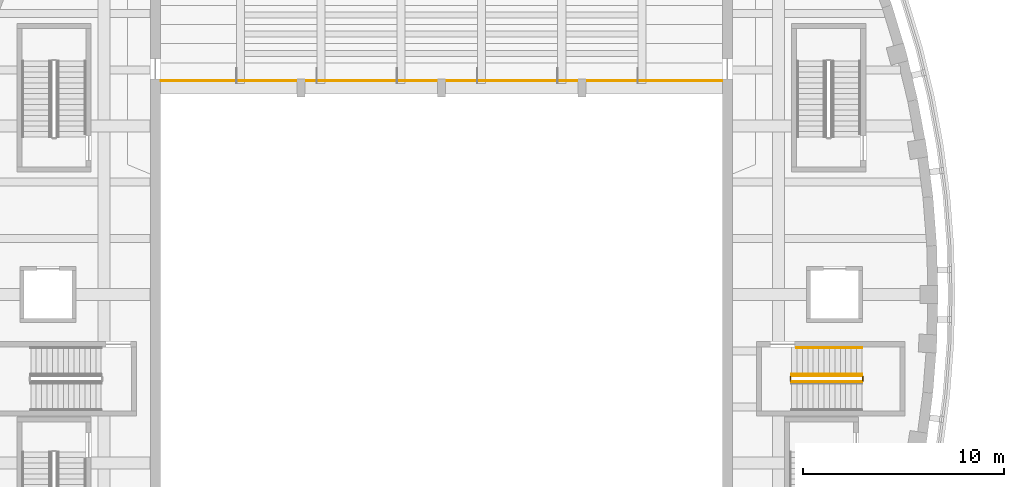
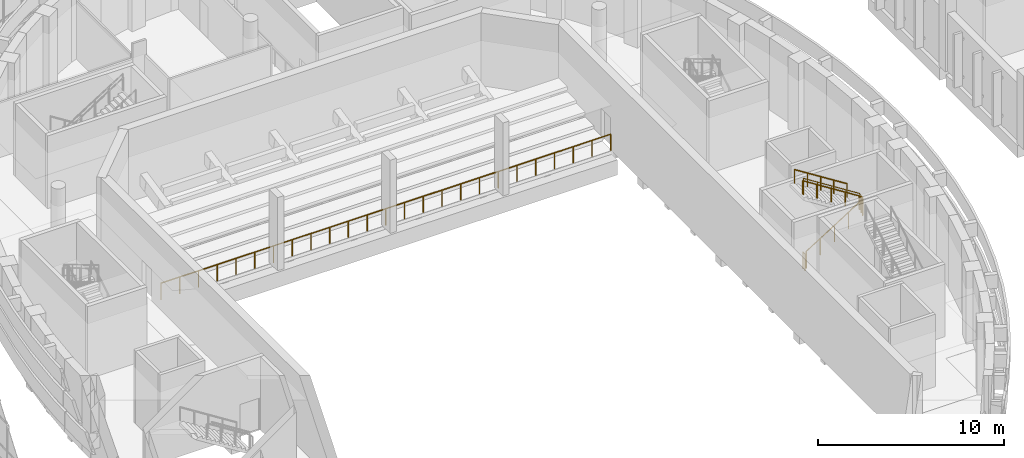
# One storey, part 90 of 103: 7 railings.
"""IFC4 building model written with IfcOpenShell, lengths in metres."""

import ifcopenshell
import ifcopenshell.guid

model = None  # the IFC model being written
_history = None  # IfcOwnerHistory: only IFC2X3 demands one
_inside = {}  # id of a spatial element -> (the spatial element, [elements in it])
_under = {}  # id of a project, library or spatial element -> (it, [spatial elements below it])
_declared = {}  # id of a project -> (the project, [libraries it declares])
_typed = {}  # id of a type object -> (the type object, [elements of that type])
_made_of = {}  # id of a material, layer set ... -> (it, [elements and type objects made of it])


def new_model(schema):
    """Start an empty IFC model of exactly this schema.

    Asked for "IFC4X3", IfcOpenShell would pick the latest addendum, in which some entities
    have other attributes; the version numbers below select the first issue.
    IFC2X3 requires an IfcOwnerHistory on every rooted entity: one is made here for all.
    """
    global model, _history
    if schema == "IFC4X3":
        model = ifcopenshell.file(schema_version=(4, 3, 0, 0))
    else:
        model = ifcopenshell.file(schema=schema)
    _inside.clear()
    _under.clear()
    _declared.clear()
    _typed.clear()
    _made_of.clear()
    _history = None
    if model.schema == "IFC2X3":
        org = make("IfcOrganization", Name="unknown")
        user = make(
            "IfcPersonAndOrganization",
            ThePerson=make("IfcPerson", FamilyName="unknown"),
            TheOrganization=org,
        )
        app = make(
            "IfcApplication",
            ApplicationDeveloper=org,
            Version="unknown",
            ApplicationFullName="unknown",
            ApplicationIdentifier="unknown",
        )
        _history = make(
            "IfcOwnerHistory",
            OwningUser=user,
            OwningApplication=app,
            ChangeAction="ADDED",
            CreationDate=0,
        )
    return model


def make(cls, **values):
    """One entity of the class cls with the attributes given. An attribute that is None is left unset."""
    return model.create_entity(
        cls, **{name: value for name, value in values.items() if value is not None}
    )


def rooted(cls, **values):
    """An entity with a GlobalId (a new one), such as an element, a storey or a relation."""
    return make(cls, GlobalId=ifcopenshell.guid.new(), OwnerHistory=_history, **values)


def si_unit(unit_type, name, prefix=None):
    """IfcSIUnit, for example si_unit("LENGTHUNIT", "METRE", prefix="MILLI")."""
    return make("IfcSIUnit", UnitType=unit_type, Prefix=prefix, Name=name)


def assignment(units):
    """IfcUnitAssignment: the units of a project."""
    return None if units is None else make("IfcUnitAssignment", Units=units)


def point(xyz):
    """IfcCartesianPoint."""
    return None if xyz is None else make("IfcCartesianPoint", Coordinates=xyz)


def direction(xyz):
    """IfcDirection."""
    return None if xyz is None else make("IfcDirection", DirectionRatios=xyz)


def frame(location, z_axis=None, x_axis=None):
    """IfcAxis2Placement3D, a coordinate frame: its origin and axes. An axis left out is left unset."""
    return make(
        "IfcAxis2Placement3D",
        Location=point(location),
        Axis=direction(z_axis),
        RefDirection=direction(x_axis),
    )


def frame_2d(location, x_axis=None):
    """IfcAxis2Placement2D, a coordinate frame in the plane: its origin and x axis."""
    return make(
        "IfcAxis2Placement2D", Location=point(location), RefDirection=direction(x_axis)
    )


def origin():
    """The frame at (0, 0, 0) with its axes left unset."""
    return frame((0.0, 0.0, 0.0))


def origin_2d():
    """The frame at (0, 0) in the plane with its x axis left unset."""
    return frame_2d((0.0, 0.0))


def place(relative_to, where):
    """IfcLocalPlacement: puts the frame where relative to a parent placement (None: the world)."""
    return make(
        "IfcLocalPlacement", PlacementRelTo=relative_to, RelativePlacement=where
    )


def context(
    kind, dimensions, precision=None, world=None, true_north=None, identifier=None
):
    """IfcGeometricRepresentationContext, for example the 3D "Model" context."""
    return make(
        "IfcGeometricRepresentationContext",
        ContextIdentifier=identifier,
        ContextType=kind,
        CoordinateSpaceDimension=dimensions,
        Precision=precision,
        WorldCoordinateSystem=world,
        TrueNorth=true_north,
    )


def subcontext(parent, identifier, kind, view, scale=None):
    """IfcGeometricRepresentationSubContext, for example "Body" below "Model"."""
    return make(
        "IfcGeometricRepresentationSubContext",
        ContextIdentifier=identifier,
        ContextType=kind,
        ParentContext=parent,
        TargetScale=scale,
        TargetView=view,
    )


def project(units=None, contexts=None):
    """IfcProject with its units and contexts."""
    return rooted(
        "IfcProject",
        Name="project",
        RepresentationContexts=contexts,
        UnitsInContext=assignment(units),
    )


def spatial(cls, under=None, at=None, **own):
    """A site, building, storey or space (cls), placed at a placement, below another one or the project."""
    s = rooted(cls, ObjectPlacement=at, **own)
    if under is not None:
        _under.setdefault(under.id(), (under, []))[1].append(s)
    return s


def profile(cls, at=None, kind="AREA", **sizes):
    """A parametric profile (cls). Its sizes go by their IFC names, for example OverallWidth=200.0."""
    return make(cls, ProfileType=kind, Position=at, **sizes)


def circle(**sizes):
    """IfcCircleProfileDef."""
    return profile("IfcCircleProfileDef", **sizes)


def extrude(swept, where, along, depth):
    """IfcExtrudedAreaSolid: the profile swept, set in the frame where, extruded along a direction by depth."""
    return make(
        "IfcExtrudedAreaSolid",
        SweptArea=swept,
        Position=where,
        ExtrudedDirection=direction(along),
        Depth=depth,
    )


def shape(context_of_items, identifier, shape_type, items):
    """IfcShapeRepresentation: the items that make up one representation, for example the "Body"."""
    return make(
        "IfcShapeRepresentation",
        ContextOfItems=context_of_items,
        RepresentationIdentifier=identifier,
        RepresentationType=shape_type,
        Items=items,
    )


def material(Name=None, Category=None):
    """IfcMaterial."""
    return make("IfcMaterial", Name=Name, Category=Category)


def made_of(thing, what):
    """Note that an element or type object is made of a material, layer set ...; save() writes the relation."""
    if what is not None:
        _made_of.setdefault(what.id(), (what, []))[1].append(thing)
    return thing


def type_object(cls, material=None, **own):
    """A type object (cls), such as IfcWallType, which elements share."""
    return made_of(rooted(cls, **own), material)


def element(
    cls,
    number,
    at=None,
    inside=None,
    cuts=None,
    type_object=None,
    material=None,
    context=None,
    identifier="Body",
    shape_type=None,
    held_by="IfcProductDefinitionShape",
    body=None,
    shapes=None,
    **own,
):
    """One element of the class cls, such as IfcWall. Its Tag is "e" and its number.

    at: its placement. inside: the storey or other place that contains it. cuts: it is an
    opening in that element (IfcRelVoidsElement). A single representation is given by context,
    identifier, shape_type and body (its items); several are given by shapes. held_by: the class
    of the entity that holds the representations. save() writes the other relations.
    """
    e = rooted(cls, Tag="e%d" % number, ObjectPlacement=at, **own)
    if body is not None:
        shapes = [shape(context, identifier, shape_type, body)]
    if shapes is not None:
        e.Representation = make(held_by, Representations=shapes)
    if inside is not None:
        _inside.setdefault(inside.id(), (inside, []))[1].append(e)
    if cuts is not None:
        rooted(
            "IfcRelVoidsElement", RelatingBuildingElement=cuts, RelatedOpeningElement=e
        )
    if type_object is not None:
        _typed.setdefault(type_object.id(), (type_object, []))[1].append(e)
    return made_of(e, material)


def aggregate(whole, parts):
    """IfcRelAggregates: a whole, such as a stair, and the parts it consists of."""
    return rooted("IfcRelAggregates", RelatingObject=whole, RelatedObjects=parts)


def save(model, path):
    """Write the relations noted so far, then the file.

    IfcRelAggregates (storeys below a building ...), IfcRelContainedInSpatialStructure (elements
    in a storey), IfcRelDefinesByType, IfcRelAssociatesMaterial and IfcRelDeclares: one each for
    every whole, place, type object, material and project.
    """
    for whole, parts in _under.values():
        aggregate(whole, parts)
    for where, things in _inside.values():
        rooted(
            "IfcRelContainedInSpatialStructure",
            RelatedElements=things,
            RelatingStructure=where,
        )
    for kind, things in _typed.values():
        rooted("IfcRelDefinesByType", RelatedObjects=things, RelatingType=kind)
    for what, things in _made_of.values():
        rooted("IfcRelAssociatesMaterial", RelatedObjects=things, RelatingMaterial=what)
    for by, libraries in _declared.values():
        rooted("IfcRelDeclares", RelatingContext=by, RelatedDefinitions=libraries)
    model.write(path)


model = new_model("IFC4")

# Units and contexts
model_context = context("Model", 3, precision=1e-05, world=origin(), true_north=direction((0.0, 1.0)))
body_context = subcontext(model_context, "Body", "Model", "MODEL_VIEW")
ifc_project = project(units=[si_unit("LENGTHUNIT", "METRE"), si_unit("AREAUNIT", "SQUARE_METRE"), si_unit("VOLUMEUNIT", "CUBIC_METRE"), si_unit("PLANEANGLEUNIT", "RADIAN"), si_unit("MASSUNIT", "GRAM", prefix="KILO")], contexts=[model_context])

# Site, building, storey
site_placement = place(None, origin())
site = spatial("IfcSite", under=ifc_project, at=site_placement, CompositionType="ELEMENT")
building_placement = place(site_placement, origin())
building = spatial("IfcBuilding", under=site, at=building_placement, Name="Larchfold Concert Hall", CompositionType="ELEMENT")
storey_placement = place(building_placement, frame((0.0, 0.0, 9.60009765625)))
storey = spatial("IfcBuildingStorey", under=building, at=storey_placement, Name="L02", CompositionType="ELEMENT", Elevation=9.60009765625)

# Railings
ifc_material_1 = material(Name="Stainless steel balustrade", Category="steel")
railing_type_1 = type_object("IfcRailingType", Name="Balcony guard 1100", PredefinedType="GUARDRAIL", material=ifc_material_1)
railing_1_placement = place(storey_placement, frame((28.6298828125, 95.25, 0.0)))
element("IfcRailing", 1, at=railing_1_placement, inside=storey, type_object=railing_type_1, Name="Guard GR0094", PredefinedType="GUARDRAIL", context=body_context, shape_type="SweptSolid", body=[
    extrude(circle(Radius=0.02392578125, at=origin_2d()), frame((0.0, 0.0, 1.076171875), z_axis=(1.0, 0.0, 0.0), x_axis=(0.0, 1.0, 0.0)), (0.0, 0.0, 1.0), 27.940185546875),
    extrude(circle(Radius=0.02099609375, at=origin_2d()), origin(), (0.0, 0.0, 1.0), 1.052001953125),
    extrude(circle(Radius=0.02099609375, at=origin_2d()), frame((1.1640625, 0.0, 0.0)), (0.0, 0.0, 1.0), 1.052001953125),
    extrude(circle(Radius=0.02099609375, at=origin_2d()), frame((2.328369140625, 0.0, 0.0)), (0.0, 0.0, 1.0), 1.052001953125),
    extrude(circle(Radius=0.02099609375, at=origin_2d()), frame((3.492431640625, 0.0, 0.0)), (0.0, 0.0, 1.0), 1.052001953125),
    extrude(circle(Radius=0.02099609375, at=origin_2d()), frame((4.65673828125, 0.0, 0.0)), (0.0, 0.0, 1.0), 1.052001953125),
    extrude(circle(Radius=0.02099609375, at=origin_2d()), frame((5.82080078125, 0.0, 0.0)), (0.0, 0.0, 1.0), 1.052001953125),
    extrude(circle(Radius=0.02099609375, at=origin_2d()), frame((6.985107421875, 0.0, 0.0)), (0.0, 0.0, 1.0), 1.052001953125),
    extrude(circle(Radius=0.02099609375, at=origin_2d()), frame((8.149169921875, 0.0, 0.0)), (0.0, 0.0, 1.0), 1.052001953125),
    extrude(circle(Radius=0.02099609375, at=origin_2d()), frame((9.3134765625, 0.0, 0.0)), (0.0, 0.0, 1.0), 1.052001953125),
    extrude(circle(Radius=0.02099609375, at=origin_2d()), frame((10.4775390625, 0.0, 0.0)), (0.0, 0.0, 1.0), 1.052001953125),
    extrude(circle(Radius=0.02099609375, at=origin_2d()), frame((11.641845703125, 0.0, 0.0)), (0.0, 0.0, 1.0), 1.052001953125),
    extrude(circle(Radius=0.02099609375, at=origin_2d()), frame((12.805908203125, 0.0, 0.0)), (0.0, 0.0, 1.0), 1.052001953125),
    extrude(circle(Radius=0.02099609375, at=origin_2d()), frame((13.97021484375, 0.0, 0.0)), (0.0, 0.0, 1.0), 1.052001953125),
    extrude(circle(Radius=0.02099609375, at=origin_2d()), frame((15.13427734375, 0.0, 0.0)), (0.0, 0.0, 1.0), 1.052001953125),
    extrude(circle(Radius=0.02099609375, at=origin_2d()), frame((16.29833984375, 0.0, 0.0)), (0.0, 0.0, 1.0), 1.052001953125),
    extrude(circle(Radius=0.02099609375, at=origin_2d()), frame((17.462646484375, 0.0, 0.0)), (0.0, 0.0, 1.0), 1.052001953125),
    extrude(circle(Radius=0.02099609375, at=origin_2d()), frame((18.626708984375, 0.0, 0.0)), (0.0, 0.0, 1.0), 1.052001953125),
    extrude(circle(Radius=0.02099609375, at=origin_2d()), frame((19.791015625, 0.0, 0.0)), (0.0, 0.0, 1.0), 1.052001953125),
    extrude(circle(Radius=0.02099609375, at=origin_2d()), frame((20.955078125, 0.0, 0.0)), (0.0, 0.0, 1.0), 1.052001953125),
    extrude(circle(Radius=0.02099609375, at=origin_2d()), frame((22.119384765625, 0.0, 0.0)), (0.0, 0.0, 1.0), 1.052001953125),
    extrude(circle(Radius=0.02099609375, at=origin_2d()), frame((23.283447265625, 0.0, 0.0)), (0.0, 0.0, 1.0), 1.052001953125),
    extrude(circle(Radius=0.02099609375, at=origin_2d()), frame((24.44775390625, 0.0, 0.0)), (0.0, 0.0, 1.0), 1.052001953125),
    extrude(circle(Radius=0.02099609375, at=origin_2d()), frame((25.61181640625, 0.0, 0.0)), (0.0, 0.0, 1.0), 1.052001953125),
    extrude(circle(Radius=0.02099609375, at=origin_2d()), frame((26.776123046875, 0.0, 0.0)), (0.0, 0.0, 1.0), 1.052001953125),
    extrude(circle(Radius=0.02099609375, at=origin_2d()), frame((27.940185546875, 0.0, 0.0)), (0.0, 0.0, 1.0), 1.052001953125),
])
ifc_material_2 = material(Name="Stainless steel balustrade", Category="steel")
railing_type_2 = type_object("IfcRailingType", Name="Stair guard 1100", PredefinedType="GUARDRAIL", material=ifc_material_2)
railing_2_placement = place(storey_placement, frame((60.050048828125, 80.25, 0.17138671875)))
element("IfcRailing", 2, at=railing_2_placement, inside=storey, type_object=railing_type_2, Name="Guard GR0032", PredefinedType="GUARDRAIL", context=body_context, shape_type="SweptSolid", body=[
    extrude(circle(Radius=0.02392578125, at=origin_2d()), frame((0.0, 0.0, 1.076171875), z_axis=(0.844219563411, 0.0, 0.53599750816), x_axis=(0.0, 1.0, 0.0)), (0.0, 0.0, 1.0), 4.15771484375),
    extrude(circle(Radius=0.02099609375, at=origin_2d()), origin(), (0.0, 0.0, 1.0), 1.052001953125),
    extrude(circle(Radius=0.02099609375, at=origin_2d()), frame((0.87744140625, 0.0, 0.55712890625)), (0.0, 0.0, 1.0), 1.052001953125),
    extrude(circle(Radius=0.02099609375, at=origin_2d()), frame((1.7548828125, 0.0, 1.1142578125)), (0.0, 0.0, 1.0), 1.052001953125),
    extrude(circle(Radius=0.02099609375, at=origin_2d()), frame((2.632568359375, 0.0, 1.67138671875)), (0.0, 0.0, 1.0), 1.052001953125),
    extrude(circle(Radius=0.02099609375, at=origin_2d()), frame((3.510009765625, 0.0, 2.228515625)), (0.0, 0.0, 1.0), 1.052001953125),
])
railing_3_placement = place(storey_placement, frame((63.610107421875, 80.300048828125, 2.39990234375)))
element("IfcRailing", 3, at=railing_3_placement, inside=storey, type_object=railing_type_2, Name="Guard GR0033", PredefinedType="GUARDRAIL", context=body_context, shape_type="SweptSolid", body=[
    extrude(circle(Radius=0.02392578125, at=origin_2d()), frame((0.0, 0.0, 1.076171875), z_axis=(0.0, 1.0, 0.0), x_axis=(-1.0, 0.0, 0.0)), (0.0, 0.0, 1.0), 0.199951171875),
    extrude(circle(Radius=0.02099609375, at=origin_2d()), origin(), (0.0, 0.0, 1.0), 1.052001953125),
    extrude(circle(Radius=0.02099609375, at=origin_2d()), frame((0.0, 0.199951171875, 0.0)), (0.0, 0.0, 1.0), 1.052001953125),
])
railing_4_placement = place(storey_placement, frame((63.56005859375, 80.550048828125, 2.5712890625)))
element("IfcRailing", 4, at=railing_4_placement, inside=storey, type_object=railing_type_2, Name="Guard GR0034", PredefinedType="GUARDRAIL", context=body_context, shape_type="SweptSolid", body=[
    extrude(circle(Radius=0.02392578125, at=origin_2d()), frame((0.0, 0.0, 1.076171875), z_axis=(-0.844219563411, 0.0, 0.53599750816), x_axis=(0.0, -1.0, 0.0)), (0.0, 0.0, 1.0), 4.15771484375),
    extrude(circle(Radius=0.02099609375, at=origin_2d()), origin(), (0.0, 0.0, 1.0), 1.052001953125),
    extrude(circle(Radius=0.02099609375, at=origin_2d()), frame((-0.87744140625, 0.0, 0.55712890625)), (0.0, 0.0, 1.0), 1.052001953125),
    extrude(circle(Radius=0.02099609375, at=origin_2d()), frame((-1.7548828125, 0.0, 1.1142578125)), (0.0, 0.0, 1.0), 1.052001953125),
    extrude(circle(Radius=0.02099609375, at=origin_2d()), frame((-2.632568359375, 0.0, 1.67138671875)), (0.0, 0.0, 1.0), 1.052001953125),
    extrude(circle(Radius=0.02099609375, at=origin_2d()), frame((-3.510009765625, 0.0, 2.228515625)), (0.0, 0.0, 1.0), 1.052001953125),
])
railing_5_placement = place(storey_placement, frame((60.0, 80.300048828125, 0.0)))
element("IfcRailing", 5, at=railing_5_placement, inside=storey, type_object=railing_type_2, Name="Guard GR0035", PredefinedType="GUARDRAIL", context=body_context, shape_type="SweptSolid", body=[
    extrude(circle(Radius=0.02392578125, at=origin_2d()), frame((0.0, 0.0, 1.076171875), z_axis=(0.0, 1.0, 0.0), x_axis=(-1.0, 0.0, 0.0)), (0.0, 0.0, 1.0), 0.199951171875),
    extrude(circle(Radius=0.02099609375, at=origin_2d()), origin(), (0.0, 0.0, 1.0), 1.052001953125),
    extrude(circle(Radius=0.02099609375, at=origin_2d()), frame((0.0, 0.199951171875, 0.0)), (0.0, 0.0, 1.0), 1.052001953125),
])
ifc_material_3 = material(Name="Stainless steel handrail", Category="steel")
railing_type_3 = type_object("IfcRailingType", Name="Stair handrail 900", PredefinedType="HANDRAIL", material=ifc_material_3)
railing_6_placement = place(storey_placement, frame((63.56005859375, 81.949951171875, 2.5712890625)))
element("IfcRailing", 6, at=railing_6_placement, inside=storey, type_object=railing_type_3, Name="Handrail HR0030", PredefinedType="HANDRAIL", context=body_context, shape_type="SweptSolid", body=[
    extrude(circle(Radius=0.02392578125, at=origin_2d()), frame((0.0, 0.0, 0.8759765625), z_axis=(-0.844215539873, 0.0, 0.536003845356), x_axis=(0.0, -1.0, 0.0)), (0.0, 0.0, 1.0), 3.861572265625),
    extrude(circle(Radius=0.02099609375, at=origin_2d()), origin(), (0.0, 0.0, 1.0), 0.851806640625),
    extrude(circle(Radius=0.02099609375, at=origin_2d()), frame((-0.81494140625, 0.0, 0.517578125)), (0.0, 0.0, 1.0), 0.851806640625),
    extrude(circle(Radius=0.02099609375, at=origin_2d()), frame((-1.6298828125, 0.0, 1.034912109375)), (0.0, 0.0, 1.0), 0.851806640625),
    extrude(circle(Radius=0.02099609375, at=origin_2d()), frame((-2.445068359375, 0.0, 1.55224609375)), (0.0, 0.0, 1.0), 0.851806640625),
    extrude(circle(Radius=0.02099609375, at=origin_2d()), frame((-3.260009765625, 0.0, 2.06982421875)), (0.0, 0.0, 1.0), 0.851806640625),
])
railing_7_placement = place(storey_placement, frame((63.56005859375, 80.6201171875, 2.5712890625)))
element("IfcRailing", 7, at=railing_7_placement, inside=storey, type_object=railing_type_3, Name="Handrail HR0032", PredefinedType="HANDRAIL", context=body_context, shape_type="SweptSolid", body=[
    extrude(circle(Radius=0.02392578125, at=origin_2d()), frame((0.0, 0.0, 0.8759765625), z_axis=(-0.844219563411, 0.0, 0.53599750816), x_axis=(0.0, -1.0, 0.0)), (0.0, 0.0, 1.0), 4.15771484375),
    extrude(circle(Radius=0.02099609375, at=origin_2d()), origin(), (0.0, 0.0, 1.0), 0.851806640625),
    extrude(circle(Radius=0.02099609375, at=origin_2d()), frame((-0.87744140625, 0.0, 0.55712890625)), (0.0, 0.0, 1.0), 0.851806640625),
    extrude(circle(Radius=0.02099609375, at=origin_2d()), frame((-1.7548828125, 0.0, 1.1142578125)), (0.0, 0.0, 1.0), 0.851806640625),
    extrude(circle(Radius=0.02099609375, at=origin_2d()), frame((-2.632568359375, 0.0, 1.67138671875)), (0.0, 0.0, 1.0), 0.851806640625),
    extrude(circle(Radius=0.02099609375, at=origin_2d()), frame((-3.510009765625, 0.0, 2.228515625)), (0.0, 0.0, 1.0), 0.851806640625),
])

save(model, "model.ifc")
